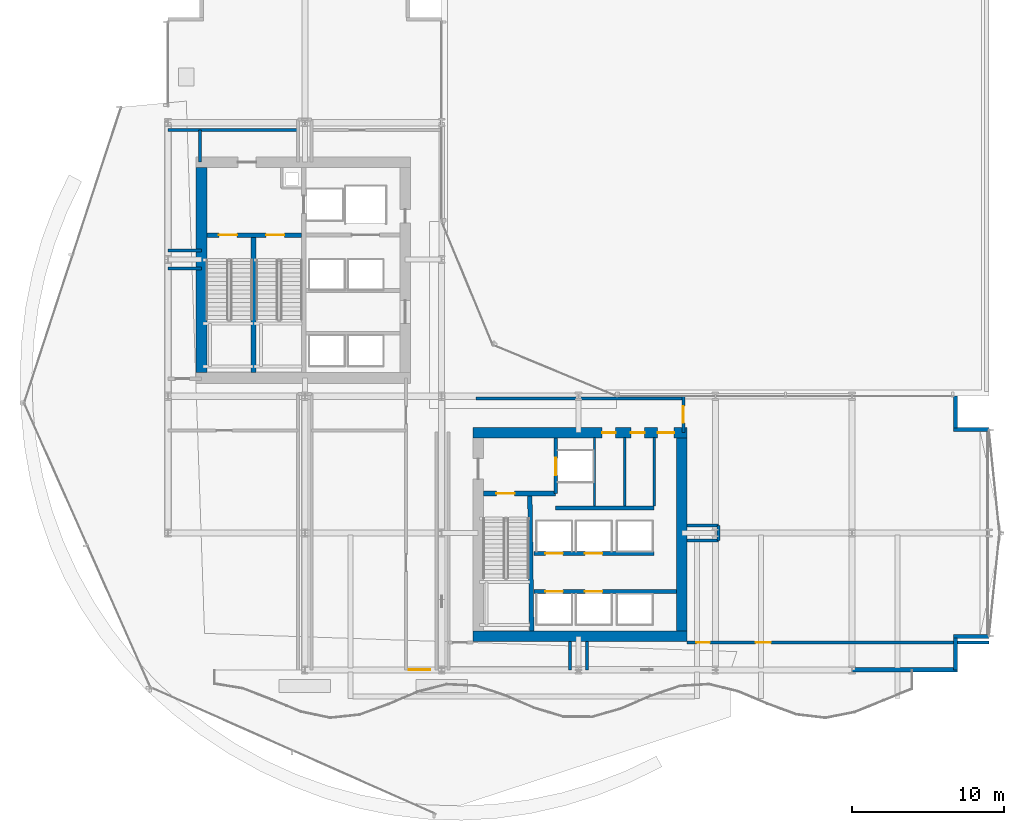
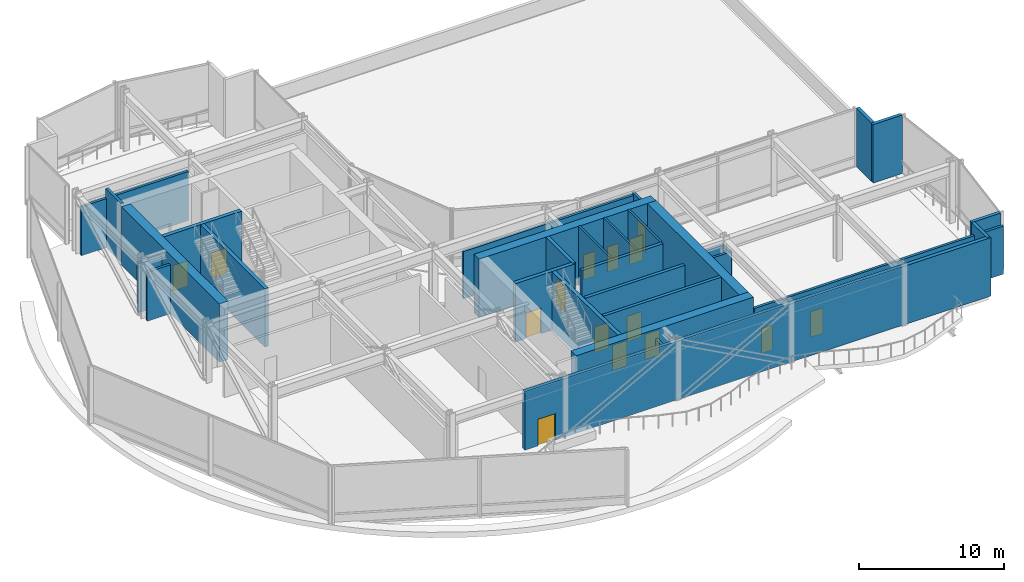
# One storey, part 29 of 37: 32 walls, 15 doors, 15 openings.
"""IFC4 building model written with IfcOpenShell, lengths in metres."""

from ifc_helpers import new_model, si_unit, direction, frame, frame_2d, origin, place, context, subcontext, project, spatial, rectangle, extrude, material, layer, layer_set, type_object, element, fill, save


model = new_model("IFC4")

# Units and contexts
model_context = context("Model", 3, precision=1e-05, world=origin(), true_north=direction((0.0, 1.0)))
body_context = subcontext(model_context, "Body", "Model", "MODEL_VIEW")
ifc_project = project(units=[si_unit("LENGTHUNIT", "METRE"), si_unit("AREAUNIT", "SQUARE_METRE"), si_unit("VOLUMEUNIT", "CUBIC_METRE"), si_unit("PLANEANGLEUNIT", "RADIAN"), si_unit("MASSUNIT", "GRAM", prefix="KILO")], contexts=[model_context])

# Site, building, storey
site_placement = place(None, origin())
site = spatial("IfcSite", under=ifc_project, at=site_placement, CompositionType="ELEMENT")
building_placement = place(site_placement, origin())
building = spatial("IfcBuilding", under=site, at=building_placement, Name="Solvaryn Broadcast Tower", CompositionType="ELEMENT")
storey_placement = place(building_placement, frame((0.0, 0.0, 30.800048828125)))
storey = spatial("IfcBuildingStorey", under=building, at=storey_placement, Name="L06", CompositionType="ELEMENT", Elevation=30.800048828125)

# Walls
ifc_material_1 = material(Name="Concrete f'c 70 MPa", Category="concrete")
ifc_layer_1 = layer(ifc_material_1, 0.699951171875)
ifc_layer_set_1 = layer_set([ifc_layer_1], Name="CW-SHEAR-700")
wall_type_1 = type_object("IfcWallType", Name="CW-SHEAR-700", PredefinedType="SHEAR", material=ifc_layer_set_1)
wall_1_placement = place(storey_placement, frame((11.199951171875, 42.050048828125, 0.0), z_axis=(0.0, 0.0, 1.0), x_axis=(0.0, -1.0, 0.0)))
element("IfcWall", 1, at=wall_1_placement, inside=storey, type_object=wall_type_1, Name="L06 West Core West Shear Wall", PredefinedType="SHEAR", context=body_context, shape_type="SweptSolid", body=[
    extrude(rectangle(XDim=13.5, YDim=0.699951171875, at=frame_2d((6.75, 0.0))), origin(), (0.0, 0.0, 1.0), 4.919921875),
])
wall_2_placement = place(storey_placement, frame((29.050048828125, 11.199951171875, 0.0), z_axis=(0.0, 0.0, 1.0), x_axis=(1.0, 0.0, 0.0)))
element("IfcWall", 2, at=wall_2_placement, inside=storey, type_object=wall_type_1, Name="L06 East Core South Shear Wall", PredefinedType="SHEAR", context=body_context, shape_type="SweptSolid", body=[
    extrude(rectangle(XDim=14.099853515625, YDim=0.699951171875, at=frame_2d((7.0498046875, 0.0))), origin(), (0.0, 0.0, 1.0), 4.919921875),
])

# Wall, openings, doors
wall_3_placement = place(storey_placement, frame((43.14990234375, 24.60009765625, 0.0), z_axis=(0.0, 0.0, 1.0), x_axis=(-1.0, 0.0, 0.0)))
wall_3 = element("IfcWall", 3, at=wall_3_placement, inside=storey, type_object=wall_type_1, Name="L06 East Core North Shear Wall", PredefinedType="SHEAR", context=body_context, shape_type="SweptSolid", body=[
    extrude(rectangle(XDim=14.099853515625, YDim=0.699951171875, at=frame_2d((7.0498046875, 0.0))), origin(), (0.0, 0.0, 1.0), 4.919921875),
])
opening_1_placement = place(wall_3_placement, frame((0.85009765625, 0.0, 0.0)))
opening_1 = element("IfcOpeningElement", 4, at=opening_1_placement, cuts=wall_3, Name="Opening FD90C", PredefinedType="OPENING", context=body_context, shape_type="SweptSolid", body=[
    extrude(rectangle(XDim=1.10009765625, YDim=2.14990234375, at=frame_2d((0.550048828125, 1.074951171875))), frame((0.0, 0.360107421875, 0.0), z_axis=(0.0, -1.0, 0.0), x_axis=(1.0, 0.0, 0.0)), (0.0, 0.0, 1.0), 0.719970703125),
])
opening_2_placement = place(wall_3_placement, frame((2.800048828125, 0.0, 0.0)))
opening_2 = element("IfcOpeningElement", 5, at=opening_2_placement, cuts=wall_3, Name="Opening FD60C", PredefinedType="OPENING", context=body_context, shape_type="SweptSolid", body=[
    extrude(rectangle(XDim=0.89990234375, YDim=2.10009765625, at=frame_2d((0.449951171875, 1.050048828125))), frame((0.0, 0.360107421875, 0.0), z_axis=(0.0, -1.0, 0.0), x_axis=(1.0, 0.0, 0.0)), (0.0, 0.0, 1.0), 0.719970703125),
])
opening_3_placement = place(wall_3_placement, frame((4.699951171875, 0.0, 0.0)))
opening_3 = element("IfcOpeningElement", 6, at=opening_3_placement, cuts=wall_3, Name="Opening FD60C", PredefinedType="OPENING", context=body_context, shape_type="SweptSolid", body=[
    extrude(rectangle(XDim=0.89990234375, YDim=2.10009765625, at=frame_2d((0.449951171875, 1.050048828125))), frame((0.0, 0.360107421875, 0.0), z_axis=(0.0, -1.0, 0.0), x_axis=(1.0, 0.0, 0.0)), (0.0, 0.0, 1.0), 0.719970703125),
])
ifc_material_2 = material(Name="Flush Acoustic Steel and Timber Door Assembly", Category="steel")
door_type_1 = type_object("IfcDoorType", Name="FD60-SERV-900X2100", OperationType="NOTDEFINED", PredefinedType="DOOR", material=ifc_material_2)
door_1_placement = place(opening_2_placement, origin())
door_1 = element("IfcDoor", 7, at=door_1_placement, inside=storey, type_object=door_type_1, Name="L06 Staff Restroom Door", OperationType="SINGLE_SWING_LEFT", OverallHeight=2.10009765625, OverallWidth=0.89990234375, PredefinedType="DOOR", context=body_context, shape_type="SweptSolid", body=[
    extrude(rectangle(XDim=0.89990234375, YDim=2.10009765625, at=frame_2d((0.449951171875, 1.050048828125))), frame((0.0, 0.02490234375, 0.0), z_axis=(0.0, -1.0, 0.0), x_axis=(1.0, 0.0, 0.0)), (0.0, 0.0, 1.0), 0.050048828125),
])
fill(opening_2, door_1)
door_2_placement = place(opening_3_placement, origin())
door_2 = element("IfcDoor", 8, at=door_2_placement, inside=storey, type_object=door_type_1, Name="L06 Accessible WC Door", OperationType="SINGLE_SWING_RIGHT", OverallHeight=2.10009765625, OverallWidth=0.89990234375, PredefinedType="DOOR", context=body_context, shape_type="SweptSolid", body=[
    extrude(rectangle(XDim=0.89990234375, YDim=2.10009765625, at=frame_2d((0.449951171875, 1.050048828125))), frame((0.0, 0.02490234375, 0.0), z_axis=(0.0, -1.0, 0.0), x_axis=(1.0, 0.0, 0.0)), (0.0, 0.0, 1.0), 0.050048828125),
])
fill(opening_3, door_2)
ifc_material_3 = material(Name="Flush Acoustic Steel and Timber Door Assembly", Category="steel")
door_type_2 = type_object("IfcDoorType", Name="FD90-PLANT-1100X2150", OperationType="NOTDEFINED", PredefinedType="DOOR", material=ifc_material_3)
door_3_placement = place(opening_1_placement, origin())
door_3 = element("IfcDoor", 9, at=door_3_placement, inside=storey, type_object=door_type_2, Name="L06 East Core Lobby Corridor Door", OperationType="SINGLE_SWING_LEFT", OverallHeight=2.14990234375, OverallWidth=1.10009765625, PredefinedType="DOOR", context=body_context, shape_type="SweptSolid", body=[
    extrude(rectangle(XDim=1.10009765625, YDim=2.14990234375, at=frame_2d((0.550048828125, 1.074951171875))), frame((0.0, 0.02490234375, 0.0), z_axis=(0.0, -1.0, 0.0), x_axis=(1.0, 0.0, 0.0)), (0.0, 0.0, 1.0), 0.050048828125),
])
fill(opening_1, door_3)

# Walls
wall_4_placement = place(storey_placement, frame((42.800048828125, 11.550048828125, 0.0), z_axis=(0.0, 0.0, 1.0), x_axis=(0.0, 1.0, 0.0)))
element("IfcWall", 10, at=wall_4_placement, inside=storey, type_object=wall_type_1, Name="L06 East Core East Shear Wall", PredefinedType="SHEAR", context=body_context, shape_type="SweptSolid", body=[
    extrude(rectangle(XDim=12.699951171875, YDim=0.699951171875, at=frame_2d((6.35009765625, 0.0))), origin(), (0.0, 0.0, 1.0), 4.919921875),
])
ifc_material_4 = material(Name="Concrete f'c 50 MPa", Category="concrete")
ifc_layer_2 = layer(ifc_material_4, 0.260009765625)
ifc_layer_set_2 = layer_set([ifc_layer_2], Name="EW-PIER-260")
wall_type_2 = type_object("IfcWallType", Name="EW-PIER-260", PredefinedType="SOLIDWALL", material=ifc_layer_set_2)
wall_5_placement = place(storey_placement, frame((60.800048828125, 9.0, 0.0), z_axis=(0.0, 0.0, 1.0), x_axis=(0.0, 1.0, 0.0)))
element("IfcWall", 11, at=wall_5_placement, inside=storey, type_object=wall_type_2, Name="L06 Notched Corner Pier Wall NSE1", PredefinedType="SOLIDWALL", context=body_context, shape_type="SweptSolid", body=[
    extrude(rectangle(XDim=2.080078125, YDim=0.260009765625, at=frame_2d((1.0400390625, 0.0))), origin(), (0.0, 0.0, 1.0), 4.919921875),
])
for number, where, z_axis, x_axis, name in (
    (12, (60.679931640625, 11.199951171875, 0.0), (0.0, 0.0, 1.0), (1.0, 0.0, 0.0), "L06 Notched Corner Pier Wall NSE2"),
    (13, (63.0, 24.800048828125, 0.0), (0.0, 0.0, 1.0), (-1.0, 0.0, 0.0), "L06 Notched Corner Pier Wall NEE1"),
):
    element("IfcWall", number, at=place(storey_placement, frame(where, z_axis=z_axis, x_axis=x_axis)), inside=storey, type_object=wall_type_2, Name=name, PredefinedType="SOLIDWALL", context=body_context, shape_type="SweptSolid", body=[
        extrude(rectangle(XDim=2.320068359375, YDim=0.260009765625, at=frame_2d((1.16015625, 0.0))), origin(), (0.0, 0.0, 1.0), 4.919921875),
    ])
wall_6_placement = place(storey_placement, frame((60.800048828125, 24.919921875, 0.0), z_axis=(0.0, 0.0, 1.0), x_axis=(0.0, 1.0, 0.0)))
element("IfcWall", 14, at=wall_6_placement, inside=storey, type_object=wall_type_2, Name="L06 Notched Corner Pier Wall NEE2", PredefinedType="SOLIDWALL", context=body_context, shape_type="SweptSolid", body=[
    extrude(rectangle(XDim=2.080078125, YDim=0.260009765625, at=frame_2d((1.0400390625, 0.0))), origin(), (0.0, 0.0, 1.0), 4.919921875),
])

# Wall, opening, door
ifc_material_5 = material(Name="Concrete f'c 50 MPa", Category="concrete")
ifc_layer_3 = layer(ifc_material_5, 0.300048828125)
ifc_layer_set_3 = layer_set([ifc_layer_3], Name="EW-TER-300")
wall_type_3 = type_object("IfcWallType", Name="EW-TER-300", PredefinedType="SOLIDWALL", material=ifc_layer_set_3)
wall_7_placement = place(storey_placement, frame((60.929931640625, 9.0, 0.0), z_axis=(0.0, 0.0, 1.0), x_axis=(-1.0, 0.0, 0.0)))
wall_7 = element("IfcWall", 15, at=wall_7_placement, inside=storey, type_object=wall_type_3, Name="L06 South Terrace Wall", PredefinedType="SOLIDWALL", context=body_context, shape_type="SweptSolid", body=[
    extrude(rectangle(XDim=37.1298828125, YDim=0.300048828125, at=frame_2d((18.56494140625, 0.0))), origin(), (0.0, 0.0, 1.0), 4.919921875),
])
opening_4_placement = place(wall_7_placement, frame((34.679931640625, 0.0, 0.0)))
opening_4 = element("IfcOpeningElement", 16, at=opening_4_placement, cuts=wall_7, Name="Opening EDS06", PredefinedType="OPENING", context=body_context, shape_type="SweptSolid", body=[
    extrude(rectangle(XDim=1.39990234375, YDim=2.25, at=frame_2d((0.699951171875, 1.125))), frame((0.0, 0.159912109375, 0.0), z_axis=(0.0, -1.0, 0.0), x_axis=(1.0, 0.0, 0.0)), (0.0, 0.0, 1.0), 0.320068359375),
])
ifc_material_6 = material(Name="Insulated Architectural Aluminium and Glazing", Category="aluminium")
door_type_3 = type_object("IfcDoorType", Name="ED-SKYG-1400X2250", OperationType="NOTDEFINED", PredefinedType="DOOR", material=ifc_material_6)
door_4_placement = place(opening_4_placement, origin())
door_4 = element("IfcDoor", 17, at=door_4_placement, inside=storey, type_object=door_type_3, Name="L06 Garden Terrace Access Door", OperationType="DOUBLE_DOOR_SINGLE_SWING", OverallHeight=2.25, OverallWidth=1.39990234375, PredefinedType="DOOR", context=body_context, shape_type="SweptSolid", body=[
    extrude(rectangle(XDim=1.39990234375, YDim=2.25, at=frame_2d((0.699951171875, 1.125))), frame((0.0, 0.02490234375, 0.0), z_axis=(0.0, -1.0, 0.0), x_axis=(1.0, 0.0, 0.0)), (0.0, 0.0, 1.0), 0.050048828125),
])
fill(opening_4, door_4)

# Walls
ifc_material_7 = material(Name="Metal-Stud Service Core Partition")
ifc_layer_4 = layer(ifc_material_7, 0.14990234375)
ifc_layer_set_4 = layer_set([ifc_layer_4], Name="IW-PART-150")
wall_type_4 = type_object("IfcWallType", Name="IW-PART-150", PredefinedType="PARTITIONING", material=ifc_layer_set_4)
for number, where, z_axis, x_axis, name in (
    (18, (37.050048828125, 19.780029296875, 0.0), (0.0, 0.0, 1.0), (0.0, 1.0, 0.0), "L06 Interior Partition IW-L06-CE-FL2E"),
    (19, (39.050048828125, 19.780029296875, 0.0), (0.0, 0.0, 1.0), (0.0, 1.0, 0.0), "L06 Interior Partition IW-L06-CE-V1"),
    (20, (40.97998046875, 19.780029296875, 0.0), (0.0, 0.0, 1.0), (0.0, 1.0, 0.0), "L06 Interior Partition IW-L06-CE-V3"),
):
    element("IfcWall", number, at=place(storey_placement, frame(where, z_axis=z_axis, x_axis=x_axis)), inside=storey, type_object=wall_type_4, Name=name, PredefinedType="PARTITIONING", context=body_context, shape_type="SweptSolid", body=[
        extrude(rectangle(XDim=4.52001953125, YDim=0.14990234375, at=frame_2d((2.260009765625, 0.0))), origin(), (0.0, 0.0, 1.0), 4.919921875),
    ])
ifc_material_8 = material(Name="Gypsum Fire-Rated Shaftwall Assembly", Category="concrete")
ifc_layer_5 = layer(ifc_material_8, 0.199951171875)
ifc_layer_set_5 = layer_set([ifc_layer_5], Name="IW-RATED-200")
wall_type_5 = type_object("IfcWallType", Name="IW-RATED-200", PredefinedType="PARTITIONING", material=ifc_layer_set_5)
for number, where, z_axis, x_axis, name in (
    (21, (9.0, 35.39990234375, 0.0), (0.0, 0.0, 1.0), (1.0, 0.0, 0.0), "L06 Interior Partition IW-L06-MW3N"),
    (22, (9.0, 36.60009765625, 0.0), (0.0, 0.0, 1.0), (1.0, 0.0, 0.0), "L06 Interior Partition IW-L06-MW3S"),
):
    element("IfcWall", number, at=place(storey_placement, frame(where, z_axis=z_axis, x_axis=x_axis)), inside=storey, type_object=wall_type_5, Name=name, PredefinedType="PARTITIONING", context=body_context, shape_type="SweptSolid", body=[
        extrude(rectangle(XDim=2.199951171875, YDim=0.199951171875, at=frame_2d((1.10009765625, 0.0))), origin(), (0.0, 0.0, 1.0), 4.126953125),
    ])

# Wall, openings, doors
wall_8_placement = place(storey_placement, frame((43.14990234375, 10.800048828125, 0.0), z_axis=(0.0, 0.0, 1.0), x_axis=(1.0, 0.0, 0.0)))
wall_8 = element("IfcWall", 23, at=wall_8_placement, inside=storey, type_object=wall_type_5, Name="L06 Interior Partition IW-L06-MW4B", PredefinedType="PARTITIONING", context=body_context, shape_type="SweptSolid", body=[
    extrude(rectangle(XDim=19.85009765625, YDim=0.199951171875, at=frame_2d((9.925048828125, 0.0))), origin(), (0.0, 0.0, 1.0), 4.044921875),
])
opening_5_placement = place(wall_8_placement, frame((0.60009765625, 0.0, 0.0)))
opening_5 = element("IfcOpeningElement", 24, at=opening_5_placement, cuts=wall_8, Name="Opening FD60C", PredefinedType="OPENING", context=body_context, shape_type="SweptSolid", body=[
    extrude(rectangle(XDim=0.89990234375, YDim=2.10009765625, at=frame_2d((0.449951171875, 1.050048828125))), frame((0.0, 0.110107421875, 0.0), z_axis=(0.0, -1.0, 0.0), x_axis=(1.0, 0.0, 0.0)), (0.0, 0.0, 1.0), 0.219970703125),
])
opening_6_placement = place(wall_8_placement, frame((4.5, 0.0, 0.0)))
opening_6 = element("IfcOpeningElement", 25, at=opening_6_placement, cuts=wall_8, Name="Opening FD90D", PredefinedType="OPENING", context=body_context, shape_type="SweptSolid", body=[
    extrude(rectangle(XDim=1.0, YDim=2.14990234375, at=frame_2d((0.5, 1.074951171875))), frame((0.0, 0.110107421875, 0.0), z_axis=(0.0, -1.0, 0.0), x_axis=(1.0, 0.0, 0.0)), (0.0, 0.0, 1.0), 0.219970703125),
])
door_5_placement = place(opening_5_placement, origin())
door_5 = element("IfcDoor", 26, at=door_5_placement, inside=storey, type_object=door_type_1, Name="L06 Door DR-L06-MD3B", OperationType="SINGLE_SWING_RIGHT", OverallHeight=2.10009765625, OverallWidth=0.89990234375, PredefinedType="DOOR", context=body_context, shape_type="SweptSolid", body=[
    extrude(rectangle(XDim=0.89990234375, YDim=2.10009765625, at=frame_2d((0.449951171875, 1.050048828125))), frame((0.0, 0.02490234375, 0.0), z_axis=(0.0, -1.0, 0.0), x_axis=(1.0, 0.0, 0.0)), (0.0, 0.0, 1.0), 0.050048828125),
])
fill(opening_5, door_5)
ifc_material_9 = material(Name="Flush Acoustic Steel and Timber Door Assembly", Category="steel")
door_type_4 = type_object("IfcDoorType", Name="FD90-FCC-1000X2150", OperationType="NOTDEFINED", PredefinedType="DOOR", material=ifc_material_9)
door_6_placement = place(opening_6_placement, origin())
door_6 = element("IfcDoor", 27, at=door_6_placement, inside=storey, type_object=door_type_4, Name="L06 Door DR-L06-MD5B", OperationType="SINGLE_SWING_LEFT", OverallHeight=2.14990234375, OverallWidth=1.0, PredefinedType="DOOR", context=body_context, shape_type="SweptSolid", body=[
    extrude(rectangle(XDim=1.0, YDim=2.14990234375, at=frame_2d((0.5, 1.074951171875))), frame((0.0, 0.02490234375, 0.0), z_axis=(0.0, -1.0, 0.0), x_axis=(1.0, 0.0, 0.0)), (0.0, 0.0, 1.0), 0.050048828125),
])
fill(opening_6, door_6)

# Walls
for number, where, z_axis, x_axis, name in (
    (28, (35.449951171875, 9.0, 0.0), (0.0, 0.0, 1.0), (0.0, 1.0, 0.0), "L06 Interior Partition IW-L06-MW4W"),
    (29, (36.550048828125, 9.0, 0.0), (0.0, 0.0, 1.0), (0.0, 1.0, 0.0), "L06 Interior Partition IW-L06-MW4E"),
):
    element("IfcWall", number, at=place(storey_placement, frame(where, z_axis=z_axis, x_axis=x_axis)), inside=storey, type_object=wall_type_5, Name=name, PredefinedType="PARTITIONING", context=body_context, shape_type="SweptSolid", body=[
        extrude(rectangle(XDim=1.85009765625, YDim=0.199951171875, at=frame_2d((0.925048828125, 0.0))), origin(), (0.0, 0.0, 1.0), 4.126953125),
    ])
wall_9_placement = place(storey_placement, frame((29.25, 26.85009765625, 0.0), z_axis=(0.0, 0.0, 1.0), x_axis=(1.0, 0.0, 0.0)))
element("IfcWall", 30, at=wall_9_placement, inside=storey, type_object=wall_type_5, Name="L06 Interior Partition IW-L06-MW6", PredefinedType="PARTITIONING", context=body_context, shape_type="SweptSolid", body=[
    extrude(rectangle(XDim=13.550048828125, YDim=0.199951171875, at=frame_2d((6.77490234375, 0.0))), origin(), (0.0, 0.0, 1.0), 3.972900390625),
])
wall_10_placement = place(storey_placement, frame((9.0, 44.5, 0.0), z_axis=(0.0, 0.0, 1.0), x_axis=(1.0, 0.0, 0.0)))
element("IfcWall", 31, at=wall_10_placement, inside=storey, type_object=wall_type_5, Name="L06 Interior Partition IW-L06-MW7A", PredefinedType="PARTITIONING", context=body_context, shape_type="SweptSolid", body=[
    extrude(rectangle(XDim=8.550048828125, YDim=0.199951171875, at=frame_2d((4.27490234375, 0.0))), origin(), (0.0, 0.0, 1.0), 4.126953125),
])
wall_11_placement = place(storey_placement, frame((11.10009765625, 42.39990234375, 0.0), z_axis=(0.0, 0.0, 1.0), x_axis=(0.0, 1.0, 0.0)))
element("IfcWall", 32, at=wall_11_placement, inside=storey, type_object=wall_type_5, Name="L06 Interior Partition IW-L06-MW8", PredefinedType="PARTITIONING", context=body_context, shape_type="SweptSolid", body=[
    extrude(rectangle(XDim=2.10009765625, YDim=0.199951171875, at=frame_2d((1.050048828125, 0.0))), origin(), (0.0, 0.0, 1.0), 4.919921875),
])

# Wall, opening, door
wall_12_placement = place(storey_placement, frame((42.89990234375, 24.60009765625, 0.0), z_axis=(0.0, 0.0, 1.0), x_axis=(0.0, 1.0, 0.0)))
wall_12 = element("IfcWall", 33, at=wall_12_placement, inside=storey, type_object=wall_type_5, Name="L06 Interior Partition IW-L06-MW9", PredefinedType="PARTITIONING", context=body_context, shape_type="SweptSolid", body=[
    extrude(rectangle(XDim=2.39990234375, YDim=0.199951171875, at=frame_2d((1.199951171875, 0.0))), origin(), (0.0, 0.0, 1.0), 4.126953125),
])
opening_7_placement = place(wall_12_placement, frame((0.64990234375, 0.0, 0.0)))
opening_7 = element("IfcOpeningElement", 34, at=opening_7_placement, cuts=wall_12, Name="Opening FD90C", PredefinedType="OPENING", context=body_context, shape_type="SweptSolid", body=[
    extrude(rectangle(XDim=1.10009765625, YDim=2.14990234375, at=frame_2d((0.550048828125, 1.074951171875))), frame((0.0, 0.110107421875, 0.0), z_axis=(0.0, -1.0, 0.0), x_axis=(1.0, 0.0, 0.0)), (0.0, 0.0, 1.0), 0.219970703125),
])
door_7_placement = place(opening_7_placement, origin())
door_7 = element("IfcDoor", 35, at=door_7_placement, inside=storey, type_object=door_type_2, Name="L06 Door DR-L06-MD5A", OperationType="SINGLE_SWING_RIGHT", OverallHeight=2.14990234375, OverallWidth=1.10009765625, PredefinedType="DOOR", context=body_context, shape_type="SweptSolid", body=[
    extrude(rectangle(XDim=1.10009765625, YDim=2.14990234375, at=frame_2d((0.550048828125, 1.074951171875))), frame((0.0, 0.02490234375, 0.0), z_axis=(0.0, -1.0, 0.0), x_axis=(1.0, 0.0, 0.0)), (0.0, 0.0, 1.0), 0.050048828125),
])
fill(opening_7, door_7)

# Walls
for number, where, z_axis, x_axis, name in (
    (36, (43.14990234375, 18.5, 0.0), (0.0, 0.0, 1.0), (1.0, 0.0, 0.0), "L06 Interior Partition IW-L06-MW9N"),
    (37, (43.14990234375, 17.5, 0.0), (0.0, 0.0, 1.0), (1.0, 0.0, 0.0), "L06 Interior Partition IW-L06-MW9S"),
):
    element("IfcWall", number, at=place(storey_placement, frame(where, z_axis=z_axis, x_axis=x_axis)), inside=storey, type_object=wall_type_5, Name=name, PredefinedType="PARTITIONING", context=body_context, shape_type="SweptSolid", body=[
        extrude(rectangle(XDim=2.050048828125, YDim=0.199951171875, at=frame_2d((1.02490234375, 0.0))), origin(), (0.0, 0.0, 1.0), 4.044921875),
    ])
wall_13_placement = place(storey_placement, frame((45.199951171875, 17.5, 0.0), z_axis=(0.0, 0.0, 1.0), x_axis=(0.0, 1.0, 0.0)))
element("IfcWall", 38, at=wall_13_placement, inside=storey, type_object=wall_type_5, Name="L06 Interior Partition IW-L06-MW9E", PredefinedType="PARTITIONING", context=body_context, shape_type="SweptSolid", body=[
    extrude(rectangle(XDim=1.0, YDim=0.199951171875, at=frame_2d((0.5, 0.0))), origin(), (0.0, 0.0, 1.0), 3.972900390625),
])

# Wall, opening, door
ifc_material_10 = material(Name="Concrete f'c 60 MPa", Category="concrete")
ifc_layer_6 = layer(ifc_material_10, 0.25)
ifc_layer_set_6 = layer_set([ifc_layer_6], Name="SW-SHAFT-250")
wall_type_6 = type_object("IfcWallType", Name="SW-SHAFT-250", PredefinedType="PARTITIONING", material=ifc_layer_set_6)
wall_14_placement = place(storey_placement, frame((34.5, 20.60009765625, 0.0), z_axis=(0.0, 0.0, 1.0), x_axis=(0.0, 1.0, 0.0)))
wall_14 = element("IfcWall", 39, at=wall_14_placement, inside=storey, type_object=wall_type_6, Name="L06 East FSAE Lobby East Wall", PredefinedType="PARTITIONING", context=body_context, shape_type="SweptSolid", body=[
    extrude(rectangle(XDim=3.64990234375, YDim=0.25, at=frame_2d((1.824951171875, 0.0))), origin(), (0.0, 0.0, 1.0), 4.919921875),
])
opening_8_placement = place(wall_14_placement, frame((1.199951171875, 0.0, 0.0)))
opening_8 = element("IfcOpeningElement", 40, at=opening_8_placement, cuts=wall_14, Name="Opening LD01", PredefinedType="OPENING", context=body_context, shape_type="SweptSolid", body=[
    extrude(rectangle(XDim=1.14990234375, YDim=2.14990234375, at=frame_2d((0.574951171875, 1.074951171875))), frame((0.0, 0.135009765625, 0.0), z_axis=(0.0, -1.0, 0.0), x_axis=(1.0, 0.0, 0.0)), (0.0, 0.0, 1.0), 0.27001953125),
])
ifc_material_11 = material(Name="Flush Acoustic Steel and Timber Door Assembly", Category="steel")
door_type_5 = type_object("IfcDoorType", Name="LD-LIFT-1150X2150", OperationType="NOTDEFINED", PredefinedType="DOOR", material=ifc_material_11)
door_8_placement = place(opening_8_placement, origin())
door_8 = element("IfcDoor", 41, at=door_8_placement, inside=storey, type_object=door_type_5, Name="L06 FL2 Lift Landing Door", OperationType="DOUBLE_DOOR_SLIDING", OverallHeight=2.14990234375, OverallWidth=1.14990234375, PredefinedType="DOOR", context=body_context, shape_type="SweptSolid", body=[
    extrude(rectangle(XDim=1.14990234375, YDim=2.14990234375, at=frame_2d((0.574951171875, 1.074951171875))), frame((0.0, 0.02490234375, 0.0), z_axis=(0.0, -1.0, 0.0), x_axis=(1.0, 0.0, 0.0)), (0.0, 0.0, 1.0), 0.050048828125),
])
fill(opening_8, door_8)

# Wall
wall_15_placement = place(storey_placement, frame((34.5, 19.64990234375, 0.0), z_axis=(0.0, 0.0, 1.0), x_axis=(1.0, 0.0, 0.0)))
element("IfcWall", 42, at=wall_15_placement, inside=storey, type_object=wall_type_6, Name="L06 East Core Restroom South Wall", PredefinedType="PARTITIONING", context=body_context, shape_type="SweptSolid", body=[
    extrude(rectangle(XDim=6.47998046875, YDim=0.25, at=frame_2d((3.239990234375, 0.0))), origin(), (0.0, 0.0, 1.0), 4.919921875),
])

# Wall, openings, doors
wall_16_placement = place(storey_placement, frame((33.070068359375, 14.14990234375, 0.0), z_axis=(0.0, 0.0, 1.0), x_axis=(1.0, 0.0, 0.0)))
wall_16 = element("IfcWall", 43, at=wall_16_placement, inside=storey, type_object=wall_type_6, Name="L06 East Lift Bank South Wall", PredefinedType="PARTITIONING", context=body_context, shape_type="SweptSolid", body=[
    extrude(rectangle(XDim=9.3798828125, YDim=0.25, at=frame_2d((4.68994140625, 0.0))), origin(), (0.0, 0.0, 1.0), 4.919921875),
])
opening_9_placement = place(wall_16_placement, frame((0.7548828125, 0.0, 0.0)))
opening_9 = element("IfcOpeningElement", 44, at=opening_9_placement, cuts=wall_16, Name="Opening LD01", PredefinedType="OPENING", context=body_context, shape_type="SweptSolid", body=[
    extrude(rectangle(XDim=1.14990234375, YDim=2.14990234375, at=frame_2d((0.574951171875, 1.074951171875))), frame((0.0, 0.135009765625, 0.0), z_axis=(0.0, -1.0, 0.0), x_axis=(1.0, 0.0, 0.0)), (0.0, 0.0, 1.0), 0.27001953125),
])
opening_10_placement = place(wall_16_placement, frame((3.35498046875, 0.0, 0.0)))
opening_10 = element("IfcOpeningElement", 45, at=opening_10_placement, cuts=wall_16, Name="Opening LD01", PredefinedType="OPENING", context=body_context, shape_type="SweptSolid", body=[
    extrude(rectangle(XDim=1.14990234375, YDim=2.14990234375, at=frame_2d((0.574951171875, 1.074951171875))), frame((0.0, 0.135009765625, 0.0), z_axis=(0.0, -1.0, 0.0), x_axis=(1.0, 0.0, 0.0)), (0.0, 0.0, 1.0), 0.27001953125),
])
door_9_placement = place(opening_9_placement, origin())
door_9 = element("IfcDoor", 46, at=door_9_placement, inside=storey, type_object=door_type_5, Name="L06 PL1 Lift Landing Door", OperationType="DOUBLE_DOOR_SLIDING", OverallHeight=2.14990234375, OverallWidth=1.14990234375, PredefinedType="DOOR", context=body_context, shape_type="SweptSolid", body=[
    extrude(rectangle(XDim=1.14990234375, YDim=2.14990234375, at=frame_2d((0.574951171875, 1.074951171875))), frame((0.0, 0.02490234375, 0.0), z_axis=(0.0, -1.0, 0.0), x_axis=(1.0, 0.0, 0.0)), (0.0, 0.0, 1.0), 0.050048828125),
])
fill(opening_9, door_9)
door_10_placement = place(opening_10_placement, origin())
door_10 = element("IfcDoor", 47, at=door_10_placement, inside=storey, type_object=door_type_5, Name="L06 PL2 Lift Landing Door", OperationType="DOUBLE_DOOR_SLIDING", OverallHeight=2.14990234375, OverallWidth=1.14990234375, PredefinedType="DOOR", context=body_context, shape_type="SweptSolid", body=[
    extrude(rectangle(XDim=1.14990234375, YDim=2.14990234375, at=frame_2d((0.574951171875, 1.074951171875))), frame((0.0, 0.02490234375, 0.0), z_axis=(0.0, -1.0, 0.0), x_axis=(1.0, 0.0, 0.0)), (0.0, 0.0, 1.0), 0.050048828125),
])
fill(opening_10, door_10)

wall_17_placement = place(storey_placement, frame((40.97998046875, 16.64990234375, 0.0), z_axis=(0.0, 0.0, 1.0), x_axis=(-1.0, 0.0, 0.0)))
wall_17 = element("IfcWall", 48, at=wall_17_placement, inside=storey, type_object=wall_type_6, Name="L06 East Lift Bank North Wall", PredefinedType="PARTITIONING", context=body_context, shape_type="SweptSolid", body=[
    extrude(rectangle(XDim=7.909912109375, YDim=0.25, at=frame_2d((3.955078125, 0.0))), origin(), (0.0, 0.0, 1.0), 4.919921875),
])
opening_11_placement = place(wall_17_placement, frame((6.0048828125, 0.0, 0.0)))
opening_11 = element("IfcOpeningElement", 49, at=opening_11_placement, cuts=wall_17, Name="Opening LD01", PredefinedType="OPENING", context=body_context, shape_type="SweptSolid", body=[
    extrude(rectangle(XDim=1.14990234375, YDim=2.14990234375, at=frame_2d((0.574951171875, 1.074951171875))), frame((0.0, 0.135009765625, 0.0), z_axis=(0.0, -1.0, 0.0), x_axis=(1.0, 0.0, 0.0)), (0.0, 0.0, 1.0), 0.27001953125),
])
opening_12_placement = place(wall_17_placement, frame((3.405029296875, 0.0, 0.0)))
opening_12 = element("IfcOpeningElement", 50, at=opening_12_placement, cuts=wall_17, Name="Opening LD01", PredefinedType="OPENING", context=body_context, shape_type="SweptSolid", body=[
    extrude(rectangle(XDim=1.14990234375, YDim=2.14990234375, at=frame_2d((0.574951171875, 1.074951171875))), frame((0.0, 0.135009765625, 0.0), z_axis=(0.0, -1.0, 0.0), x_axis=(1.0, 0.0, 0.0)), (0.0, 0.0, 1.0), 0.27001953125),
])
door_11_placement = place(opening_11_placement, origin())
door_11 = element("IfcDoor", 51, at=door_11_placement, inside=storey, type_object=door_type_5, Name="L06 PL3 Lift Landing Door", OperationType="DOUBLE_DOOR_SLIDING", OverallHeight=2.14990234375, OverallWidth=1.14990234375, PredefinedType="DOOR", context=body_context, shape_type="SweptSolid", body=[
    extrude(rectangle(XDim=1.14990234375, YDim=2.14990234375, at=frame_2d((0.574951171875, 1.074951171875))), frame((0.0, 0.02490234375, 0.0), z_axis=(0.0, -1.0, 0.0), x_axis=(1.0, 0.0, 0.0)), (0.0, 0.0, 1.0), 0.050048828125),
])
fill(opening_11, door_11)
door_12_placement = place(opening_12_placement, origin())
door_12 = element("IfcDoor", 52, at=door_12_placement, inside=storey, type_object=door_type_5, Name="L06 PL4 Lift Landing Door", OperationType="DOUBLE_DOOR_SLIDING", OverallHeight=2.14990234375, OverallWidth=1.14990234375, PredefinedType="DOOR", context=body_context, shape_type="SweptSolid", body=[
    extrude(rectangle(XDim=1.14990234375, YDim=2.14990234375, at=frame_2d((0.574951171875, 1.074951171875))), frame((0.0, 0.02490234375, 0.0), z_axis=(0.0, -1.0, 0.0), x_axis=(1.0, 0.0, 0.0)), (0.0, 0.0, 1.0), 0.050048828125),
])
fill(opening_12, door_12)

# Wall
ifc_material_12 = material(Name="Concrete f'c 70 MPa", Category="concrete")
ifc_layer_7 = layer(ifc_material_12, 0.300048828125)
ifc_layer_set_7 = layer_set([ifc_layer_7], Name="SW-SHAFT-300")
wall_type_7 = type_object("IfcWallType", Name="SW-SHAFT-300", PredefinedType="SHEAR", material=ifc_layer_set_7)
wall_18_placement = place(storey_placement, frame((14.6201171875, 28.550048828125, 0.0), z_axis=(0.0, 0.0, 1.0), x_axis=(0.0, 1.0, 0.0)))
element("IfcWall", 53, at=wall_18_placement, inside=storey, type_object=wall_type_7, Name="L06 Stair 1-2 Dividing Wall", PredefinedType="SHEAR", context=body_context, shape_type="SweptSolid", body=[
    extrude(rectangle(XDim=8.89990234375, YDim=0.300048828125, at=frame_2d((4.449951171875, 0.0))), origin(), (0.0, 0.0, 1.0), 4.919921875),
])

# Wall, openings, doors
wall_19_placement = place(storey_placement, frame((17.77001953125, 37.60009765625, 0.0), z_axis=(0.0, 0.0, 1.0), x_axis=(-1.0, 0.0, 0.0)))
wall_19 = element("IfcWall", 54, at=wall_19_placement, inside=storey, type_object=wall_type_7, Name="L06 West Core FSAE Lobby South Wall", PredefinedType="SHEAR", context=body_context, shape_type="SweptSolid", body=[
    extrude(rectangle(XDim=6.219970703125, YDim=0.300048828125, at=frame_2d((3.10986328125, 0.0))), origin(), (0.0, 0.0, 1.0), 4.919921875),
])
opening_13_placement = place(wall_19_placement, frame((4.219970703125, 0.0, 0.0)))
opening_13 = element("IfcOpeningElement", 55, at=opening_13_placement, cuts=wall_19, Name="Opening FD90A", PredefinedType="OPENING", context=body_context, shape_type="SweptSolid", body=[
    extrude(rectangle(XDim=1.199951171875, YDim=2.14990234375, at=frame_2d((0.60009765625, 1.074951171875))), frame((0.0, 0.159912109375, 0.0), z_axis=(0.0, -1.0, 0.0), x_axis=(1.0, 0.0, 0.0)), (0.0, 0.0, 1.0), 0.320068359375),
])
opening_14_placement = place(wall_19_placement, frame((1.1201171875, 0.0, 0.0)))
opening_14 = element("IfcOpeningElement", 56, at=opening_14_placement, cuts=wall_19, Name="Opening FD90A", PredefinedType="OPENING", context=body_context, shape_type="SweptSolid", body=[
    extrude(rectangle(XDim=1.199951171875, YDim=2.14990234375, at=frame_2d((0.60009765625, 1.074951171875))), frame((0.0, 0.159912109375, 0.0), z_axis=(0.0, -1.0, 0.0), x_axis=(1.0, 0.0, 0.0)), (0.0, 0.0, 1.0), 0.320068359375),
])
ifc_material_13 = material(Name="Flush Acoustic Steel and Timber Door Assembly", Category="steel")
door_type_6 = type_object("IfcDoorType", Name="FD90-STAIR-1200X2150", OperationType="NOTDEFINED", PredefinedType="DOOR", material=ifc_material_13)
door_13_placement = place(opening_13_placement, origin())
door_13 = element("IfcDoor", 57, at=door_13_placement, inside=storey, type_object=door_type_6, Name="L06 Stair 1 Fire Door", OperationType="SINGLE_SWING_LEFT", OverallHeight=2.14990234375, OverallWidth=1.199951171875, PredefinedType="DOOR", context=body_context, shape_type="SweptSolid", body=[
    extrude(rectangle(XDim=1.199951171875, YDim=2.14990234375, at=frame_2d((0.60009765625, 1.074951171875))), frame((0.0, 0.02490234375, 0.0), z_axis=(0.0, -1.0, 0.0), x_axis=(1.0, 0.0, 0.0)), (0.0, 0.0, 1.0), 0.050048828125),
])
fill(opening_13, door_13)
door_14_placement = place(opening_14_placement, origin())
door_14 = element("IfcDoor", 58, at=door_14_placement, inside=storey, type_object=door_type_6, Name="L06 Stair 2 Fire Door", OperationType="SINGLE_SWING_RIGHT", OverallHeight=2.14990234375, OverallWidth=1.199951171875, PredefinedType="DOOR", context=body_context, shape_type="SweptSolid", body=[
    extrude(rectangle(XDim=1.199951171875, YDim=2.14990234375, at=frame_2d((0.60009765625, 1.074951171875))), frame((0.0, 0.02490234375, 0.0), z_axis=(0.0, -1.0, 0.0), x_axis=(1.0, 0.0, 0.0)), (0.0, 0.0, 1.0), 0.050048828125),
])
fill(opening_14, door_14)

# Wall
wall_20_placement = place(storey_placement, frame((32.919921875, 11.550048828125, 0.0), z_axis=(0.0, 0.0, 1.0), x_axis=(-0.01331804616, 0.99991131089, 0.0)))
element("IfcWall", 59, at=wall_20_placement, inside=storey, type_object=wall_type_7, Name="L06 Stair 3 East Shear Wall", PredefinedType="SHEAR", context=body_context, shape_type="SweptSolid", body=[
    extrude(rectangle(XDim=9.000732421875, YDim=0.300048828125, at=frame_2d((4.50048828125, 0.0))), origin(), (0.0, 0.0, 1.0), 4.919921875),
])

# Wall, opening, door
wall_21_placement = place(storey_placement, frame((34.5, 20.60009765625, 0.0), z_axis=(0.0, 0.0, 1.0), x_axis=(-1.0, 0.0, 0.0)))
wall_21 = element("IfcWall", 60, at=wall_21_placement, inside=storey, type_object=wall_type_7, Name="L06 East FSAE Lobby South Wall", PredefinedType="SHEAR", context=body_context, shape_type="SweptSolid", body=[
    extrude(rectangle(XDim=4.75, YDim=0.300048828125, at=frame_2d((2.375, 0.0))), origin(), (0.0, 0.0, 1.0), 4.919921875),
])
opening_15_placement = place(wall_21_placement, frame((2.699951171875, 0.0, 0.0)))
opening_15 = element("IfcOpeningElement", 61, at=opening_15_placement, cuts=wall_21, Name="Opening FD90A", PredefinedType="OPENING", context=body_context, shape_type="SweptSolid", body=[
    extrude(rectangle(XDim=1.199951171875, YDim=2.14990234375, at=frame_2d((0.60009765625, 1.074951171875))), frame((0.0, 0.159912109375, 0.0), z_axis=(0.0, -1.0, 0.0), x_axis=(1.0, 0.0, 0.0)), (0.0, 0.0, 1.0), 0.320068359375),
])
door_15_placement = place(opening_15_placement, origin())
door_15 = element("IfcDoor", 62, at=door_15_placement, inside=storey, type_object=door_type_6, Name="L06 Stair 3 Fire Door", OperationType="SINGLE_SWING_LEFT", OverallHeight=2.14990234375, OverallWidth=1.199951171875, PredefinedType="DOOR", context=body_context, shape_type="SweptSolid", body=[
    extrude(rectangle(XDim=1.199951171875, YDim=2.14990234375, at=frame_2d((0.60009765625, 1.074951171875))), frame((0.0, 0.02490234375, 0.0), z_axis=(0.0, -1.0, 0.0), x_axis=(1.0, 0.0, 0.0)), (0.0, 0.0, 1.0), 0.050048828125),
])
fill(opening_15, door_15)

save(model, "model.ifc")
